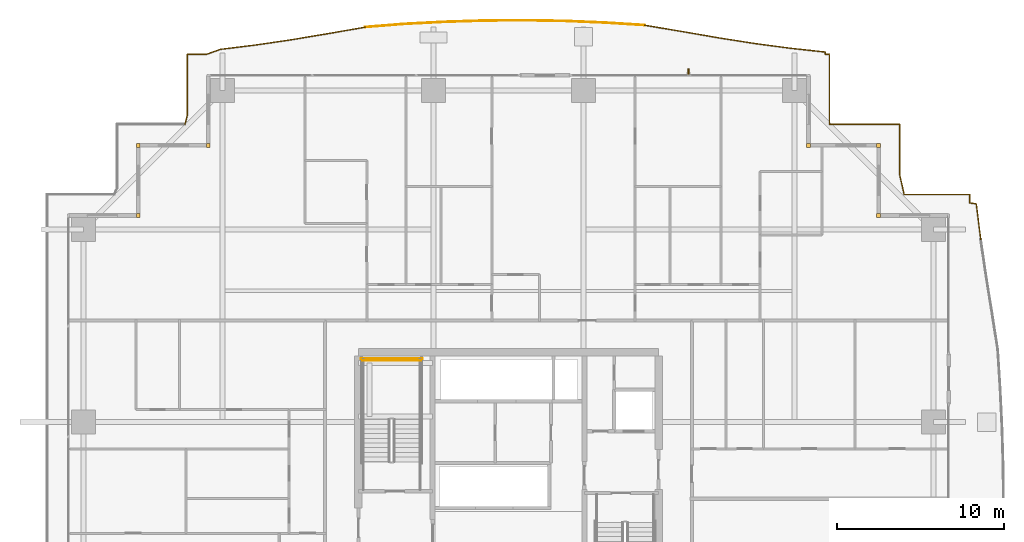
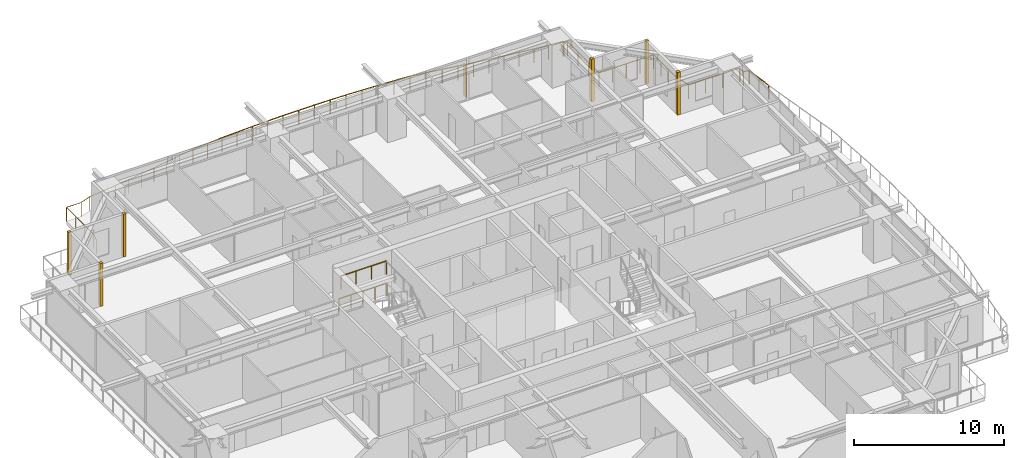
# One storey, part 38 of 38: 6 coverings, 6 railings, 1 shading device.
"""IFC4 building model written with IfcOpenShell, lengths in metres."""

from ifc_helpers import new_model, si_unit, direction, frame, origin, origin_2d, place, context, subcontext, project, spatial, rectangle, circle, extrude, source, transform, mapped, material, layer, layer_set, type_object, element, save


model = new_model("IFC4")

# Units and contexts
model_context = context("Model", 3, precision=1e-05, world=origin(), true_north=direction((0.0, 1.0)))
body_context = subcontext(model_context, "Body", "Model", "MODEL_VIEW")
ifc_project = project(units=[si_unit("LENGTHUNIT", "METRE"), si_unit("AREAUNIT", "SQUARE_METRE"), si_unit("VOLUMEUNIT", "CUBIC_METRE"), si_unit("PLANEANGLEUNIT", "RADIAN"), si_unit("MASSUNIT", "GRAM", prefix="KILO")], contexts=[model_context])

# Site, building, storey
site_placement = place(None, origin())
site = spatial("IfcSite", under=ifc_project, at=site_placement, CompositionType="ELEMENT")
building_placement = place(site_placement, origin())
building = spatial("IfcBuilding", under=site, at=building_placement, Name="Serunith Strait Residences", CompositionType="ELEMENT")
storey_placement = place(building_placement, frame((0.0, 0.0, 52.949951171875)))
storey = spatial("IfcBuildingStorey", under=building, at=storey_placement, Name="L12", CompositionType="ELEMENT", Elevation=52.949951171875)

# Railings
ifc_material_1 = material(Name="Stainless Steel & Laminated Glass Balustrade", Category="steel")
railing_type_1 = type_object("IfcRailingType", Name="RLG-BALC-1150", PredefinedType="BALUSTRADE", material=ifc_material_1)
railing_1_placement = place(storey_placement, frame((12.989990234375, 47.260009765625, -0.050048828125)))
element("IfcRailing", 1, at=railing_1_placement, inside=storey, type_object=railing_type_1, Name="L12 Swirling Balcony Perimeter Balustrade 1", PredefinedType="BALUSTRADE", context=body_context, shape_type="SweptSolid", body=[
    extrude(circle(Radius=0.02392578125, at=origin_2d()), frame((0.00048828125, 0.001953125, 1.1259765625), z_axis=(0.257297483746, 0.966332243516, 0.0), x_axis=(-0.966332243516, 0.257297483746, 0.0)), (0.0, 0.0, 1.0), 0.57861328125),
    extrude(circle(Radius=0.02392578125, at=origin_2d()), frame((0.14990234375, 0.56494140625, 1.1259765625), z_axis=(0.0, 1.0, 0.0), x_axis=(-1.0, 0.0, 0.0)), (0.0, 0.0, 1.0), 3.633056640625),
    extrude(circle(Radius=0.02392578125, at=origin_2d()), frame((0.15185546875, 4.199951171875, 1.1259765625), z_axis=(1.0, 0.0, 0.0), x_axis=(0.0, 1.0, 0.0)), (0.0, 0.0, 1.0), 1.124755859375),
    extrude(circle(Radius=0.02392578125, at=origin_2d()), frame((1.280517578125, 4.20068359375, 1.1259765625), z_axis=(0.942292627054, 0.334790389647, 0.0), x_axis=(-0.334790389647, 0.942292627054, 0.0)), (0.0, 0.0, 1.0), 0.896484375),
    extrude(circle(Radius=0.02392578125, at=origin_2d()), frame((2.129150390625, 4.501708984375, 1.1259765625), z_axis=(0.992446924986, 0.122674777713, 0.0), x_axis=(-0.122674777713, 0.992446924986, 0.0)), (0.0, 0.0, 1.0), 2.139404296875),
    extrude(circle(Radius=0.02392578125, at=origin_2d()), frame((4.25634765625, 4.7646484375, 1.1259765625), z_axis=(0.989234867584, 0.146336518873, 0.0), x_axis=(-0.146336518873, 0.989234867584, 0.0)), (0.0, 0.0, 1.0), 2.164794921875),
    extrude(circle(Radius=0.02392578125, at=origin_2d()), frame((6.40185546875, 5.08203125, 1.1259765625), z_axis=(0.986370052489, 0.164542151294, 0.0), x_axis=(-0.164542151294, 0.986370052489, 0.0)), (0.0, 0.0, 1.0), 2.208251953125),
    extrude(circle(Radius=0.02392578125, at=origin_2d()), frame((8.583984375, 5.446044921875, 1.1259765625), z_axis=(0.985327559152, 0.170673961621, 0.0), x_axis=(-0.170673961621, 0.985327559152, 0.0)), (0.0, 0.0, 1.0), 2.26611328125),
    extrude(circle(Radius=0.02099609375, at=origin_2d()), origin(), (0.0, 0.0, 1.0), 1.099853515625),
    extrude(circle(Radius=0.02099609375, at=origin_2d()), frame((0.14990234375, 0.56298828125, 0.0)), (0.0, 0.0, 1.0), 1.099853515625),
    extrude(circle(Radius=0.02099609375, at=origin_2d()), frame((0.14990234375, 1.775390625, 0.0)), (0.0, 0.0, 1.0), 1.099853515625),
    extrude(circle(Radius=0.02099609375, at=origin_2d()), frame((0.14990234375, 2.987548828125, 0.0)), (0.0, 0.0, 1.0), 1.099853515625),
    extrude(circle(Radius=0.02099609375, at=origin_2d()), frame((0.14990234375, 4.199951171875, 0.0)), (0.0, 0.0, 1.0), 1.099853515625),
    extrude(circle(Radius=0.02099609375, at=origin_2d()), frame((1.278564453125, 4.199951171875, 0.0)), (0.0, 0.0, 1.0), 1.099853515625),
    extrude(circle(Radius=0.02099609375, at=origin_2d()), frame((2.127197265625, 4.50146484375, 0.0)), (0.0, 0.0, 1.0), 1.099853515625),
    extrude(circle(Radius=0.02099609375, at=origin_2d()), frame((3.19091796875, 4.6328125, 0.0)), (0.0, 0.0, 1.0), 1.099853515625),
    extrude(circle(Radius=0.02099609375, at=origin_2d()), frame((4.25439453125, 4.764404296875, 0.0)), (0.0, 0.0, 1.0), 1.099853515625),
    extrude(circle(Radius=0.02099609375, at=origin_2d()), frame((5.3271484375, 4.923095703125, 0.0)), (0.0, 0.0, 1.0), 1.099853515625),
    extrude(circle(Radius=0.02099609375, at=origin_2d()), frame((6.39990234375, 5.081787109375, 0.0)), (0.0, 0.0, 1.0), 1.099853515625),
    extrude(circle(Radius=0.02099609375, at=origin_2d()), frame((7.490966796875, 5.263671875, 0.0)), (0.0, 0.0, 1.0), 1.099853515625),
    extrude(circle(Radius=0.02099609375, at=origin_2d()), frame((8.58203125, 5.44580078125, 0.0)), (0.0, 0.0, 1.0), 1.099853515625),
    extrude(circle(Radius=0.02099609375, at=origin_2d()), frame((9.700439453125, 5.6396484375, 0.0)), (0.0, 0.0, 1.0), 1.099853515625),
    extrude(circle(Radius=0.02099609375, at=origin_2d()), frame((10.81884765625, 5.833251953125, 0.0)), (0.0, 0.0, 1.0), 1.099853515625),
])
railing_2_placement = place(storey_placement, frame((23.808837890625, 53.09326171875, -0.050048828125)))
element("IfcRailing", 2, at=railing_2_placement, inside=storey, type_object=railing_type_1, Name="L12 Swirling Balcony Perimeter Balustrade 2", PredefinedType="BALUSTRADE", context=body_context, shape_type="SweptSolid", body=[
    extrude(circle(Radius=0.02392578125, at=origin_2d()), frame((0.001953125, 0.000244140625, 1.1259765625), z_axis=(0.996868116782, 0.079081968507, 0.0), x_axis=(-0.079081968507, 0.996868116782, 0.0)), (0.0, 0.0, 1.0), 2.3515625),
    extrude(circle(Radius=0.02392578125, at=origin_2d()), frame((2.35009765625, 0.186279296875, 1.1259765625), z_axis=(0.998643929872, 0.052060554455, 0.0), x_axis=(-0.052060554455, 0.998643929872, 0.0)), (0.0, 0.0, 1.0), 2.3876953125),
    extrude(circle(Radius=0.02392578125, at=origin_2d()), frame((4.738525390625, 0.310791015625, 1.1259765625), z_axis=(0.999508219691, 0.031357913987, 0.0), x_axis=(-0.031357913987, 0.999508219691, 0.0)), (0.0, 0.0, 1.0), 2.409423828125),
    extrude(circle(Radius=0.02392578125, at=origin_2d()), frame((7.15087890625, 0.386474609375, 1.1259765625), z_axis=(0.999972211392, 0.007454961076, 0.0), x_axis=(-0.007454961076, 0.999972211392, 0.0)), (0.0, 0.0, 1.0), 2.41943359375),
    extrude(circle(Radius=0.02392578125, at=origin_2d()), frame((9.57421875, 0.404541015625, 1.1259765625), z_axis=(0.999849354294, -0.01735709416, 0.0), x_axis=(0.01735709416, 0.999849354294, 0.0)), (0.0, 0.0, 1.0), 2.415283203125),
    extrude(circle(Radius=0.02392578125, at=origin_2d()), frame((11.9931640625, 0.362548828125, 1.1259765625), z_axis=(0.999139928868, -0.041465679074, 0.0), x_axis=(0.041465679074, 0.999139928868, 0.0)), (0.0, 0.0, 1.0), 2.398193359375),
    extrude(circle(Radius=0.02392578125, at=origin_2d()), frame((14.393310546875, 0.2626953125, 1.1259765625), z_axis=(0.998055379124, -0.062333459729, 0.0), x_axis=(0.062333459729, 0.998055379124, 0.0)), (0.0, 0.0, 1.0), 2.36962890625),
    extrude(circle(Radius=0.02099609375, at=origin_2d()), origin(), (0.0, 0.0, 1.0), 1.099853515625),
    extrude(circle(Radius=0.02099609375, at=origin_2d()), frame((1.174072265625, 0.09326171875, 0.0)), (0.0, 0.0, 1.0), 1.099853515625),
    extrude(circle(Radius=0.02099609375, at=origin_2d()), frame((2.34814453125, 0.186279296875, 0.0)), (0.0, 0.0, 1.0), 1.099853515625),
    extrude(circle(Radius=0.02099609375, at=origin_2d()), frame((3.54248046875, 0.24853515625, 0.0)), (0.0, 0.0, 1.0), 1.099853515625),
    extrude(circle(Radius=0.02099609375, at=origin_2d()), frame((4.736572265625, 0.310791015625, 0.0)), (0.0, 0.0, 1.0), 1.099853515625),
    extrude(circle(Radius=0.02099609375, at=origin_2d()), frame((5.94287109375, 0.3486328125, 0.0)), (0.0, 0.0, 1.0), 1.099853515625),
    extrude(circle(Radius=0.02099609375, at=origin_2d()), frame((7.14892578125, 0.386474609375, 0.0)), (0.0, 0.0, 1.0), 1.099853515625),
    extrude(circle(Radius=0.02099609375, at=origin_2d()), frame((8.360595703125, 0.3955078125, 0.0)), (0.0, 0.0, 1.0), 1.099853515625),
    extrude(circle(Radius=0.02099609375, at=origin_2d()), frame((9.572265625, 0.404541015625, 0.0)), (0.0, 0.0, 1.0), 1.099853515625),
    extrude(circle(Radius=0.02099609375, at=origin_2d()), frame((10.78173828125, 0.383544921875, 0.0)), (0.0, 0.0, 1.0), 1.099853515625),
    extrude(circle(Radius=0.02099609375, at=origin_2d()), frame((11.9912109375, 0.362548828125, 0.0)), (0.0, 0.0, 1.0), 1.099853515625),
    extrude(circle(Radius=0.02099609375, at=origin_2d()), frame((13.19140625, 0.312744140625, 0.0)), (0.0, 0.0, 1.0), 1.099853515625),
    extrude(circle(Radius=0.02099609375, at=origin_2d()), frame((14.391357421875, 0.262939453125, 0.0)), (0.0, 0.0, 1.0), 1.099853515625),
    extrude(circle(Radius=0.02099609375, at=origin_2d()), frame((15.57568359375, 0.18896484375, 0.0)), (0.0, 0.0, 1.0), 1.099853515625),
    extrude(circle(Radius=0.02099609375, at=origin_2d()), frame((16.76025390625, 0.114990234375, 0.0)), (0.0, 0.0, 1.0), 1.099853515625),
])
railing_3_placement = place(storey_placement, frame((40.569091796875, 53.208251953125, -0.050048828125)))
element("IfcRailing", 3, at=railing_3_placement, inside=storey, type_object=railing_type_1, Name="L12 Swirling Balcony Perimeter Balustrade 3", PredefinedType="BALUSTRADE", context=body_context, shape_type="SweptSolid", body=[
    extrude(circle(Radius=0.02392578125, at=origin_2d()), frame((0.001953125, -0.000244140625, 1.1259765625), z_axis=(0.986431378893, -0.164174098855, 0.0), x_axis=(0.164174098855, 0.986431378893, 0.0)), (0.0, 0.0, 1.0), 2.28466796875),
    extrude(circle(Radius=0.02392578125, at=origin_2d()), frame((2.259521484375, -0.3759765625, 1.1259765625), z_axis=(0.98526167274, -0.17105389861, 0.0), x_axis=(0.17105389861, 0.98526167274, 0.0)), (0.0, 0.0, 1.0), 2.2197265625),
    extrude(circle(Radius=0.02392578125, at=origin_2d()), frame((4.450439453125, -0.75634765625, 1.1259765625), z_axis=(0.987811144851, -0.15565712996, 0.0), x_axis=(0.15565712996, 0.987811144851, 0.0)), (0.0, 0.0, 1.0), 2.17138671875),
    extrude(circle(Radius=0.02392578125, at=origin_2d()), frame((6.599365234375, -1.094970703125, 1.1259765625), z_axis=(0.9912288948, -0.132156263994, 0.0), x_axis=(0.132156263994, 0.9912288948, 0.0)), (0.0, 0.0, 1.0), 2.140869140625),
    extrude(circle(Radius=0.02392578125, at=origin_2d()), frame((8.725341796875, -1.37841796875, 1.1259765625), z_axis=(0.994262213849, -0.106970323515, 0.0), x_axis=(0.106970323515, 0.994262213849, 0.0)), (0.0, 0.0, 1.0), 2.12548828125),
    extrude(circle(Radius=0.02392578125, at=origin_2d()), frame((10.840576171875, -1.60791015625, 1.1259765625), z_axis=(-0.008576013939, -0.999963225316, 0.0), x_axis=(0.999963225316, -0.008576013939, 0.0)), (0.0, 0.0, 1.0), 0.138427734375),
    extrude(circle(Radius=0.02392578125, at=origin_2d()), frame((10.84130859375, -1.748291015625, 1.1259765625), z_axis=(1.0, 0.0, 0.0), x_axis=(0.0, 1.0, 0.0)), (0.0, 0.0, 1.0), 0.24755859375),
    extrude(circle(Radius=0.02392578125, at=origin_2d()), frame((11.0908203125, -1.750244140625, 1.1259765625), z_axis=(0.0, -1.0, 0.0), x_axis=(1.0, 0.0, 0.0)), (0.0, 0.0, 1.0), 4.196044921875),
    extrude(circle(Radius=0.02099609375, at=origin_2d()), origin(), (0.0, 0.0, 1.0), 1.099853515625),
    extrude(circle(Radius=0.02099609375, at=origin_2d()), frame((1.12890625, -0.18798828125, 0.0)), (0.0, 0.0, 1.0), 1.099853515625),
    extrude(circle(Radius=0.02099609375, at=origin_2d()), frame((2.257568359375, -0.375732421875, 0.0)), (0.0, 0.0, 1.0), 1.099853515625),
    extrude(circle(Radius=0.02099609375, at=origin_2d()), frame((3.35302734375, -0.56591796875, 0.0)), (0.0, 0.0, 1.0), 1.099853515625),
    extrude(circle(Radius=0.02099609375, at=origin_2d()), frame((4.448486328125, -0.756103515625, 0.0)), (0.0, 0.0, 1.0), 1.099853515625),
    extrude(circle(Radius=0.02099609375, at=origin_2d()), frame((5.52294921875, -0.92529296875, 0.0)), (0.0, 0.0, 1.0), 1.099853515625),
    extrude(circle(Radius=0.02099609375, at=origin_2d()), frame((6.597412109375, -1.0947265625, 0.0)), (0.0, 0.0, 1.0), 1.099853515625),
    extrude(circle(Radius=0.02099609375, at=origin_2d()), frame((7.660400390625, -1.236328125, 0.0)), (0.0, 0.0, 1.0), 1.099853515625),
    extrude(circle(Radius=0.02099609375, at=origin_2d()), frame((8.723388671875, -1.378173828125, 0.0)), (0.0, 0.0, 1.0), 1.099853515625),
    extrude(circle(Radius=0.02099609375, at=origin_2d()), frame((9.781982421875, -1.4921875, 0.0)), (0.0, 0.0, 1.0), 1.099853515625),
    extrude(circle(Radius=0.02099609375, at=origin_2d()), frame((10.840576171875, -1.60595703125, 0.0)), (0.0, 0.0, 1.0), 1.099853515625),
    extrude(circle(Radius=0.02099609375, at=origin_2d()), frame((10.83935546875, -1.748291015625, 0.0)), (0.0, 0.0, 1.0), 1.099853515625),
    extrude(circle(Radius=0.02099609375, at=origin_2d()), frame((11.0908203125, -1.748291015625, 0.0)), (0.0, 0.0, 1.0), 1.099853515625),
    extrude(circle(Radius=0.02099609375, at=origin_2d()), frame((11.0908203125, -3.148193359375, 0.0)), (0.0, 0.0, 1.0), 1.099853515625),
    extrude(circle(Radius=0.02099609375, at=origin_2d()), frame((11.0908203125, -4.54833984375, 0.0)), (0.0, 0.0, 1.0), 1.099853515625),
    extrude(circle(Radius=0.02099609375, at=origin_2d()), frame((11.0908203125, -5.9482421875, 0.0)), (0.0, 0.0, 1.0), 1.099853515625),
])
railing_4_placement = place(storey_placement, frame((51.659912109375, 47.260009765625, -0.050048828125)))
element("IfcRailing", 4, at=railing_4_placement, inside=storey, type_object=railing_type_1, Name="L12 Swirling Balcony Perimeter Balustrade 4", PredefinedType="BALUSTRADE", context=body_context, shape_type="SweptSolid", body=[
    extrude(circle(Radius=0.02392578125, at=origin_2d()), frame((0.001953125, 0.0, 1.1259765625), z_axis=(1.0, 0.0, 0.0), x_axis=(0.0, 1.0, 0.0)), (0.0, 0.0, 1.0), 4.1962890625),
    extrude(circle(Radius=0.02392578125, at=origin_2d()), frame((4.2001953125, -0.001953125, 1.1259765625), z_axis=(0.0, -1.0, 0.0), x_axis=(1.0, 0.0, 0.0)), (0.0, 0.0, 1.0), 2.98876953125),
    extrude(circle(Radius=0.02392578125, at=origin_2d()), frame((4.20068359375, -2.99462890625, 1.1259765625), z_axis=(0.221646672943, -0.975127044222, 0.0), x_axis=(0.975127044222, 0.221646672943, 0.0)), (0.0, 0.0, 1.0), 1.234130859375),
    extrude(circle(Radius=0.02392578125, at=origin_2d()), frame((4.4765625, -4.199951171875, 1.1259765625), z_axis=(1.0, 0.0, 0.0), x_axis=(0.0, 1.0, 0.0)), (0.0, 0.0, 1.0), 3.921630859375),
    extrude(circle(Radius=0.02392578125, at=origin_2d()), frame((8.400146484375, -4.201904296875, 1.1259765625), z_axis=(0.0, -1.0, 0.0), x_axis=(1.0, 0.0, 0.0)), (0.0, 0.0, 1.0), 0.501220703125),
    extrude(circle(Radius=0.02392578125, at=origin_2d()), frame((8.402099609375, -4.705322265625, 1.1259765625), z_axis=(0.987115751012, -0.160007793887, 0.0), x_axis=(0.160007793887, 0.987115751012, 0.0)), (0.0, 0.0, 1.0), 0.40185546875),
    extrude(circle(Radius=0.02392578125, at=origin_2d()), frame((8.801025390625, -4.77197265625, 1.1259765625), z_axis=(0.124929282681, -0.992165648634, 0.0), x_axis=(0.992165648634, 0.124929282681, 0.0)), (0.0, 0.0, 1.0), 2.145751953125),
    extrude(circle(Radius=0.02099609375, at=origin_2d()), origin(), (0.0, 0.0, 1.0), 1.099853515625),
    extrude(circle(Radius=0.02099609375, at=origin_2d()), frame((1.050048828125, 0.0, 0.0)), (0.0, 0.0, 1.0), 1.099853515625),
    extrude(circle(Radius=0.02099609375, at=origin_2d()), frame((2.10009765625, 0.0, 0.0)), (0.0, 0.0, 1.0), 1.099853515625),
    extrude(circle(Radius=0.02099609375, at=origin_2d()), frame((3.150146484375, 0.0, 0.0)), (0.0, 0.0, 1.0), 1.099853515625),
    extrude(circle(Radius=0.02099609375, at=origin_2d()), frame((4.2001953125, 0.0, 0.0)), (0.0, 0.0, 1.0), 1.099853515625),
    extrude(circle(Radius=0.02099609375, at=origin_2d()), frame((4.2001953125, -0.99755859375, 0.0)), (0.0, 0.0, 1.0), 1.099853515625),
    extrude(circle(Radius=0.02099609375, at=origin_2d()), frame((4.2001953125, -1.9951171875, 0.0)), (0.0, 0.0, 1.0), 1.099853515625),
    extrude(circle(Radius=0.02099609375, at=origin_2d()), frame((4.2001953125, -2.99267578125, 0.0)), (0.0, 0.0, 1.0), 1.099853515625),
    extrude(circle(Radius=0.02099609375, at=origin_2d()), frame((4.474609375, -4.199951171875, 0.0)), (0.0, 0.0, 1.0), 1.099853515625),
    extrude(circle(Radius=0.02099609375, at=origin_2d()), frame((5.783203125, -4.199951171875, 0.0)), (0.0, 0.0, 1.0), 1.099853515625),
    extrude(circle(Radius=0.02099609375, at=origin_2d()), frame((7.091552734375, -4.199951171875, 0.0)), (0.0, 0.0, 1.0), 1.099853515625),
    extrude(circle(Radius=0.02099609375, at=origin_2d()), frame((8.400146484375, -4.199951171875, 0.0)), (0.0, 0.0, 1.0), 1.099853515625),
    extrude(circle(Radius=0.02099609375, at=origin_2d()), frame((8.400146484375, -4.705078125, 0.0)), (0.0, 0.0, 1.0), 1.099853515625),
    extrude(circle(Radius=0.02099609375, at=origin_2d()), frame((8.80078125, -4.77001953125, 0.0)), (0.0, 0.0, 1.0), 1.099853515625),
    extrude(circle(Radius=0.02099609375, at=origin_2d()), frame((8.93505859375, -5.83642578125, 0.0)), (0.0, 0.0, 1.0), 1.099853515625),
    extrude(circle(Radius=0.02099609375, at=origin_2d()), frame((9.0693359375, -6.90283203125, 0.0)), (0.0, 0.0, 1.0), 1.099853515625),
])
ifc_material_2 = material(Name="Brushed stainless steel 316L", Category="steel")
railing_type_2 = type_object("IfcRailingType", Name="RLG-STAIR-GUARD", PredefinedType="BALUSTRADE", material=ifc_material_2)
railing_5_placement = place(storey_placement, frame((27.14990234375, 33.10009765625, 1.875)))
element("IfcRailing", 5, at=railing_5_placement, inside=storey, type_object=railing_type_2, Name="L12 ST-1 stair guard 5", PredefinedType="BALUSTRADE", context=body_context, shape_type="SweptSolid", body=[
    extrude(circle(Radius=0.02392578125, at=origin_2d()), frame((-0.001953125, 0.0, 1.076171875), z_axis=(-1.0, 0.0, 0.0), x_axis=(0.0, -1.0, 0.0)), (0.0, 0.0, 1.0), 3.49609375),
    extrude(circle(Radius=0.02099609375, at=origin_2d()), origin(), (0.0, 0.0, 1.0), 1.050048828125),
    extrude(circle(Radius=0.02099609375, at=origin_2d()), frame((-1.166748046875, 0.0, 0.0)), (0.0, 0.0, 1.0), 1.050048828125),
    extrude(circle(Radius=0.02099609375, at=origin_2d()), frame((-2.333251953125, 0.0, 0.0)), (0.0, 0.0, 1.0), 1.050048828125),
    extrude(circle(Radius=0.02099609375, at=origin_2d()), frame((-3.5, 0.0, 0.0)), (0.0, 0.0, 1.0), 1.050048828125),
])
railing_6_placement = place(storey_placement, frame((27.25, 33.199951171875, 0.0)))
element("IfcRailing", 6, at=railing_6_placement, inside=storey, type_object=railing_type_2, Name="L12 ST-1 stair guard 12", PredefinedType="BALUSTRADE", context=body_context, shape_type="SweptSolid", body=[
    extrude(circle(Radius=0.02392578125, at=origin_2d()), frame((-0.001953125, 0.0, 1.076171875), z_axis=(-1.0, 0.0, 0.0), x_axis=(0.0, -1.0, 0.0)), (0.0, 0.0, 1.0), 3.696044921875),
    extrude(circle(Radius=0.02099609375, at=origin_2d()), origin(), (0.0, 0.0, 1.0), 1.050048828125),
    extrude(circle(Radius=0.02099609375, at=origin_2d()), frame((-0.925048828125, 0.0, 0.0)), (0.0, 0.0, 1.0), 1.050048828125),
    extrude(circle(Radius=0.02099609375, at=origin_2d()), frame((-1.85009765625, 0.0, 0.0)), (0.0, 0.0, 1.0), 1.050048828125),
    extrude(circle(Radius=0.02099609375, at=origin_2d()), frame((-2.77490234375, 0.0, 0.0)), (0.0, 0.0, 1.0), 1.050048828125),
    extrude(circle(Radius=0.02099609375, at=origin_2d()), frame((-3.699951171875, 0.0, 0.0)), (0.0, 0.0, 1.0), 1.050048828125),
])

# Coverings
ifc_material_3 = material(Name="Pale-Champagne Anodised Aluminium", Category="aluminium")
ifc_layer = layer(ifc_material_3, 0.219970703125, Name="Pale-Champagne Anodised Aluminium")
ifc_layer_set = layer_set([ifc_layer], Name="Pale-Champagne Anodised Aluminium")
covering_type = type_object("IfcCoveringType", Name="COV-CORN-TRIM", PredefinedType="CLADDING", material=ifc_layer_set)
shared_shape_1 = source(origin(), body_context, "Body", "SweptSolid", [
    extrude(rectangle(XDim=0.221923828125, YDim=0.221923828125, at=origin_2d()), origin(), (0.0, 0.0, 1.0), 3.47509765625),
])
for number, where, z_axis, x_axis, name in (
    (7, (54.60009765625, 41.800048828125, 0.0), (0.0, 0.0, 1.0), (1.0, 0.0, 0.0), "L12 Girih Serrated Corner Trim Post 07"),
    (8, (54.60009765625, 46.0, 0.0), (0.0, 0.0, 1.0), (1.0, 0.0, 0.0), "L12 Girih Serrated Corner Trim Post 08"),
    (9, (50.39990234375, 46.0, 0.0), (0.0, 0.0, 1.0), (1.0, 0.0, 0.0), "L12 Girih Serrated Corner Trim Post 09"),
    (10, (14.39990234375, 46.0, 0.0), (0.0, 0.0, 1.0), (1.0, 0.0, 0.0), "L12 Girih Serrated Corner Trim Post 12"),
    (11, (10.199951171875, 46.0, 0.0), (0.0, 0.0, 1.0), (1.0, 0.0, 0.0), "L12 Girih Serrated Corner Trim Post 13"),
    (12, (10.199951171875, 41.800048828125, 0.0), (0.0, 0.0, 1.0), (1.0, 0.0, 0.0), "L12 Girih Serrated Corner Trim Post 14"),
):
    element("IfcCovering", number, at=place(storey_placement, frame(where, z_axis=z_axis, x_axis=x_axis)), inside=storey, type_object=covering_type, Name=name, PredefinedType="CLADDING", context=body_context, shape_type="MappedRepresentation", body=[
        mapped(shared_shape_1, transform((0.0, 0.0, 0.0), scale=1.0)),
    ])

# Shading device
ifc_material_4 = material(Name="Pale-Champagne Perforated Aluminium Fin", Category="aluminium")
shading_device_type = type_object("IfcShadingDeviceType", Name="SHD-DIAG-FIN", PredefinedType="AWNING", material=ifc_material_4)
shared_shape_2 = source(origin(), body_context, "Body", "SweptSolid", [
    extrude(rectangle(XDim=0.080078125, YDim=0.35009765625, at=origin_2d()), origin(), (0.0, 0.0, 1.0), 2.60009765625),
])
shading_device_placement = place(storey_placement, frame((43.199951171875, 50.419921875, 0.199951171875), z_axis=(0.0, 0.0, 1.0), x_axis=(1.0, 0.0, 0.0)))
element("IfcShadingDevice", 13, at=shading_device_placement, inside=storey, type_object=shading_device_type, Name="L12 Diagonal Rhythm Solar Fin N", PredefinedType="AWNING", context=body_context, shape_type="MappedRepresentation", body=[
    mapped(shared_shape_2, transform((0.0, 0.0, 0.0), scale=1.0)),
])

save(model, "model.ifc")
